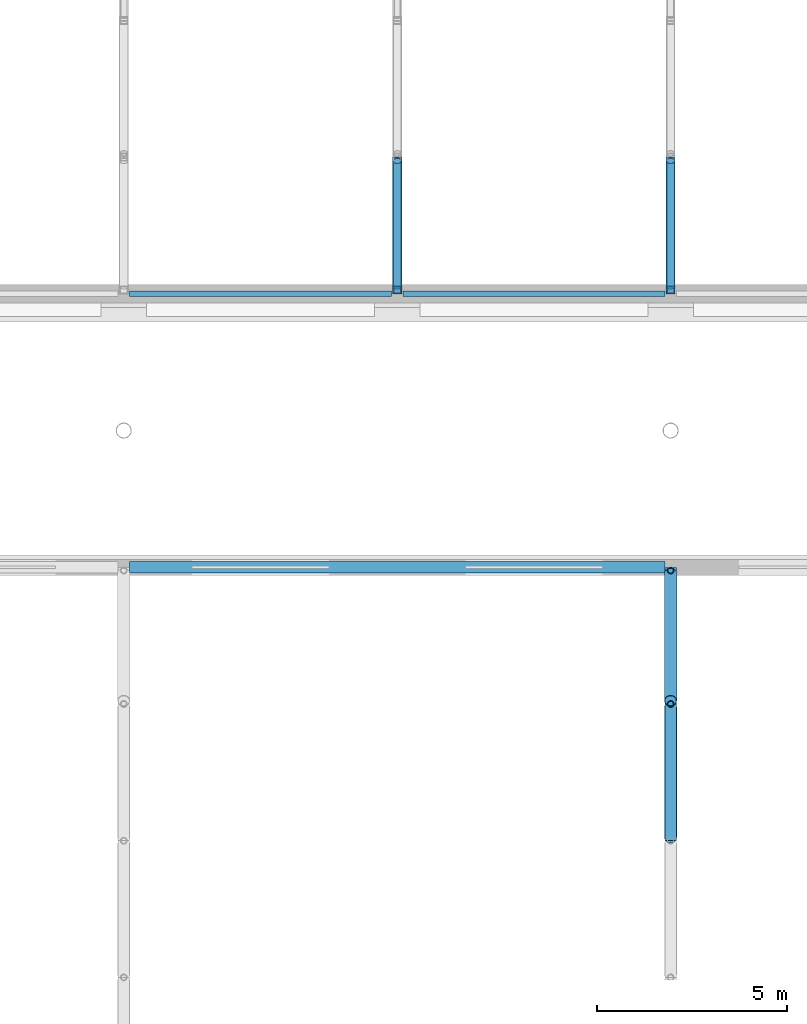
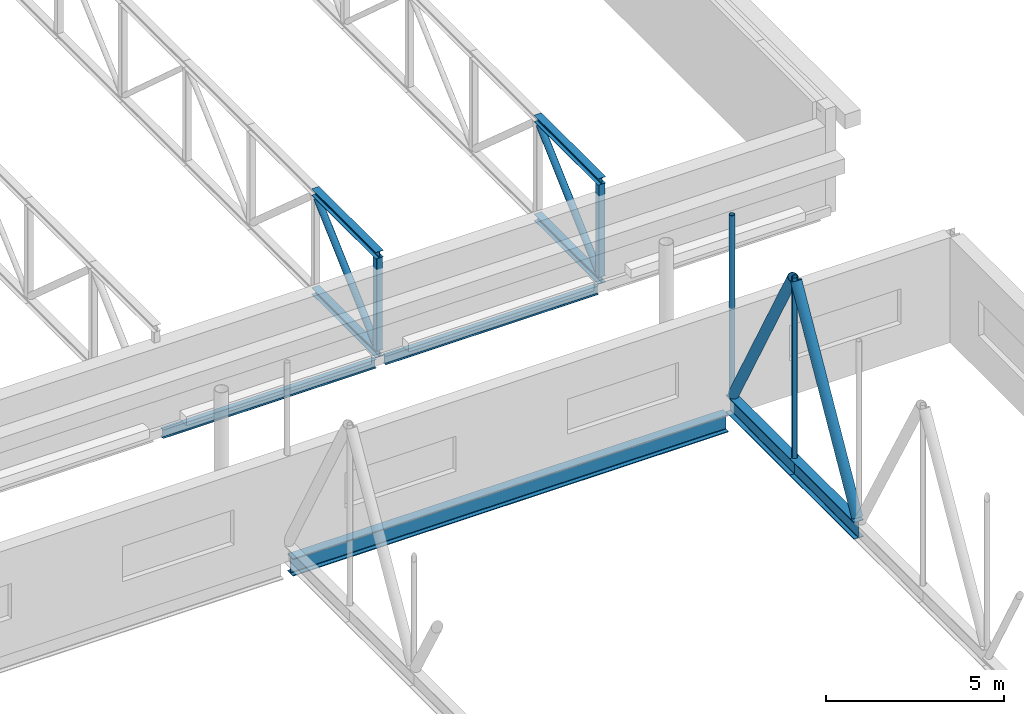
# One storey, part 72 of 142: 14 members, 3 beams.
"""IFC4 building model written with IfcOpenShell, lengths in metres."""

from ifc_helpers import new_model, si_unit, direction, frame, origin, origin_2d, place, context, subcontext, project, spatial, hollow_rectangle, hollow_circle, i_section, extrude, material, material_profile, profile_set, type_object, element, save


model = new_model("IFC4")

# Units and contexts
model_context = context("Model", 3, precision=1e-05, world=origin(), true_north=direction((0.0, 1.0)))
body_context = subcontext(model_context, "Body", "Model", "MODEL_VIEW")
ifc_project = project(units=[si_unit("LENGTHUNIT", "METRE"), si_unit("AREAUNIT", "SQUARE_METRE"), si_unit("VOLUMEUNIT", "CUBIC_METRE"), si_unit("PLANEANGLEUNIT", "RADIAN"), si_unit("MASSUNIT", "GRAM", prefix="KILO")], contexts=[model_context])

# Site, building, storey
site_placement = place(None, origin())
site = spatial("IfcSite", under=ifc_project, at=site_placement, CompositionType="ELEMENT")
building_placement = place(site_placement, origin())
building = spatial("IfcBuilding", under=site, at=building_placement, Name="Kupolbacken Congress Centre", CompositionType="ELEMENT")
storey_placement = place(building_placement, frame((0.0, 0.0, 14.39990234375)))
storey = spatial("IfcBuildingStorey", under=building, at=storey_placement, Name="L04", CompositionType="ELEMENT", Elevation=14.39990234375)

# Beams
ifc_material_1 = material(Name="Steel S355", Category="steel")
ifc_material_profile_1 = material_profile(ifc_material_1, i_section(OverallWidth=0.14990234375, OverallDepth=0.300048828125, WebThickness=0.007080078125, FlangeThickness=0.0107421875, FilletRadius=0.014892578125, at=origin_2d()), Name="IPE 300")
ifc_profile_set_1 = profile_set([ifc_material_profile_1], Name="Steel S355")
beam_type_1 = type_object("IfcBeamType", Name="B04 beam IPE 300", PredefinedType="BEAM", material=ifc_profile_set_1)
beam_1_placement = place(storey_placement, frame((180.14990234375, 122.39990234375, -0.14990234375), z_axis=(1.0, 0.0, 0.0), x_axis=(0.0, 1.0, 0.0)))
element("IfcBeam", 1, at=beam_1_placement, inside=storey, type_object=beam_type_1, Name="Edge girder", PredefinedType="BEAM", context=body_context, shape_type="SweptSolid", body=[
    extrude(i_section(OverallWidth=0.14990234375, OverallDepth=0.300048828125, WebThickness=0.007080078125, FlangeThickness=0.0107421875, FilletRadius=0.014892578125, at=origin_2d()), origin(), (0.0, 0.0, 1.0), 6.900146484375),
])
beam_2_placement = place(storey_placement, frame((187.35009765625, 122.39990234375, -0.14990234375), z_axis=(1.0, 0.0, 0.0), x_axis=(0.0, 1.0, 0.0)))
element("IfcBeam", 2, at=beam_2_placement, inside=storey, type_object=beam_type_1, Name="Edge girder", PredefinedType="BEAM", context=body_context, shape_type="SweptSolid", body=[
    extrude(i_section(OverallWidth=0.14990234375, OverallDepth=0.300048828125, WebThickness=0.007080078125, FlangeThickness=0.0107421875, FilletRadius=0.014892578125, at=origin_2d()), origin(), (0.0, 0.0, 1.0), 6.89990234375),
])
ifc_material_2 = material(Name="Steel S355", Category="steel")
ifc_material_profile_2 = material_profile(ifc_material_2, i_section(OverallWidth=0.300048828125, OverallDepth=0.60009765625, WebThickness=0.015380859375, FlangeThickness=0.030029296875, FilletRadius=0.027099609375, at=origin_2d()), Name="HEB 600")
ifc_profile_set_2 = profile_set([ifc_material_profile_2], Name="Steel S355")
beam_type_2 = type_object("IfcBeamType", Name="B15 beam HEB 600", PredefinedType="BEAM", material=ifc_profile_set_2)
beam_3_placement = place(storey_placement, frame((180.14990234375, 115.199951171875, -0.2998046875), z_axis=(1.0, 0.0, 0.0), x_axis=(0.0, 1.0, 0.0)))
element("IfcBeam", 3, at=beam_3_placement, inside=storey, type_object=beam_type_2, Name="Edge girder", PredefinedType="BEAM", context=body_context, shape_type="SweptSolid", body=[
    extrude(i_section(OverallWidth=0.300048828125, OverallDepth=0.60009765625, WebThickness=0.015380859375, FlangeThickness=0.030029296875, FilletRadius=0.027099609375, at=origin_2d()), origin(), (0.0, 0.0, 1.0), 14.10009765625),
])

# Members
ifc_material_3 = material(Name="Steel S355", Category="steel")
ifc_material_profile_3 = material_profile(ifc_material_3, i_section(OverallWidth=0.300048828125, OverallDepth=0.60009765625, WebThickness=0.015380859375, FlangeThickness=0.030029296875, FilletRadius=0.027099609375, at=origin_2d()), Name="HEB 600")
ifc_profile_set_3 = profile_set([ifc_material_profile_3], Name="Steel S355")
member_type_1 = type_object("IfcMemberType", Name="M02 transfer truss chord HEB 600", PredefinedType="CHORD", material=ifc_profile_set_3)
member_1_placement = place(storey_placement, frame((194.39990234375, 108.0, 0.2900390625), z_axis=(0.0, 1.0, 0.0), x_axis=(-1.0, 0.0, 0.0)))
element("IfcMember", 4, at=member_1_placement, inside=storey, type_object=member_type_1, Name="HT/T8/BC19", PredefinedType="CHORD", context=body_context, shape_type="SweptSolid", body=[
    extrude(i_section(OverallWidth=0.300048828125, OverallDepth=0.60009765625, WebThickness=0.015380859375, FlangeThickness=0.030029296875, FilletRadius=0.027099609375, at=origin_2d()), origin(), (0.0, 0.0, 1.0), 3.60009765625),
])
member_2_placement = place(storey_placement, frame((194.39990234375, 111.60009765625, 0.2900390625), z_axis=(0.0, 1.0, 0.0), x_axis=(-1.0, 0.0, 0.0)))
element("IfcMember", 5, at=member_2_placement, inside=storey, type_object=member_type_1, Name="HT/T8/BC20", PredefinedType="CHORD", context=body_context, shape_type="SweptSolid", body=[
    extrude(i_section(OverallWidth=0.300048828125, OverallDepth=0.60009765625, WebThickness=0.015380859375, FlangeThickness=0.030029296875, FilletRadius=0.027099609375, at=origin_2d()), origin(), (0.0, 0.0, 1.0), 3.599853515625),
])
ifc_material_4 = material(Name="Steel S355", Category="steel")
ifc_material_profile_4 = material_profile(ifc_material_4, hollow_circle(Radius=0.161865234375, WallThickness=0.012451171875, at=origin_2d()), Name="CHS 323.9 x 12.5")
ifc_profile_set_4 = profile_set([ifc_material_profile_4], Name="Steel S355")
member_type_2 = type_object("IfcMemberType", Name="M04 transfer truss web CHS 323.9 x 12.5", PredefinedType="BRACE", material=ifc_profile_set_4)
member_3_placement = place(storey_placement, frame((194.39990234375, 108.084228515625, 0.658935546875), z_axis=(0.0, 0.494455978115, 0.869202672399), x_axis=(-1.0, 0.0, 0.0)))
element("IfcMember", 6, at=member_3_placement, inside=storey, type_object=member_type_2, Name="HT/T8/D19", PredefinedType="BRACE", context=body_context, shape_type="SweptSolid", body=[
    extrude(hollow_circle(Radius=0.161865234375, WallThickness=0.012451171875, at=origin_2d()), origin(), (0.0, 0.0, 1.0), 6.940185546875),
])
member_4_placement = place(storey_placement, frame((194.39990234375, 111.68408203125, 6.69287109375), z_axis=(0.0, 0.485036131954, -0.874494111301), x_axis=(-1.0, 0.0, 0.0)))
element("IfcMember", 7, at=member_4_placement, inside=storey, type_object=member_type_2, Name="HT/T8/D20", PredefinedType="BRACE", context=body_context, shape_type="SweptSolid", body=[
    extrude(hollow_circle(Radius=0.161865234375, WallThickness=0.012451171875, at=origin_2d()), origin(), (0.0, 0.0, 1.0), 6.90185546875),
])
ifc_material_5 = material(Name="Steel S355", Category="steel")
ifc_material_profile_5 = material_profile(ifc_material_5, hollow_circle(Radius=0.109619140625, WallThickness=0.010009765625, at=origin_2d()), Name="CHS 219.1 x 10")
ifc_profile_set_5 = profile_set([ifc_material_profile_5], Name="Steel S355")
member_type_3 = type_object("IfcMemberType", Name="M05 transfer truss web CHS 219.1 x 10", PredefinedType="BRACE", material=ifc_profile_set_5)
for number, where, z_axis, x_axis, name in (
    (8, (187.199951171875, 122.60009765625, 0.289306640625), (0.0, 0.738640464451, 0.67409959522), (-1.0, 0.0, 0.0), "BT/B6/D01"),
    (9, (194.39990234375, 122.60009765625, 0.289306640625), (0.0, 0.738640464451, 0.67409959522), (-1.0, 0.0, 0.0), "BT/B7/D01"),
):
    element("IfcMember", number, at=place(storey_placement, frame(where, z_axis=z_axis, x_axis=x_axis)), inside=storey, type_object=member_type_3, Name=name, PredefinedType="BRACE", context=body_context, shape_type="SweptSolid", body=[
        extrude(hollow_circle(Radius=0.109619140625, WallThickness=0.010009765625, at=origin_2d()), origin(), (0.0, 0.0, 1.0), 4.46728515625),
    ])
ifc_material_6 = material(Name="Steel S355", Category="steel")
ifc_material_profile_6 = material_profile(ifc_material_6, i_section(OverallWidth=0.239990234375, OverallDepth=0.22998046875, WebThickness=0.007568359375, FlangeThickness=0.011962890625, FilletRadius=0.02099609375, at=origin_2d()), Name="HEA 240")
ifc_profile_set_6 = profile_set([ifc_material_profile_6], Name="Steel S355")
member_type_4 = type_object("IfcMemberType", Name="M07 transfer truss chord HEA 240", PredefinedType="CHORD", material=ifc_profile_set_6)
for number, where, z_axis, x_axis, name in (
    (10, (187.199951171875, 122.39990234375, 0.10498046875), (0.0, 1.0, 0.0), (-1.0, 0.0, 0.0), "BT/B6/BC01"),
    (11, (187.199951171875, 122.39990234375, 3.485107421875), (0.0, 1.0, 0.0), (-1.0, 0.0, 0.0), "BT/B6/TC01"),
    (12, (194.39990234375, 122.39990234375, 0.10498046875), (0.0, 1.0, 0.0), (-1.0, 0.0, 0.0), "BT/B7/BC01"),
    (13, (194.39990234375, 122.39990234375, 3.485107421875), (0.0, 1.0, 0.0), (-1.0, 0.0, 0.0), "BT/B7/TC01"),
):
    element("IfcMember", number, at=place(storey_placement, frame(where, z_axis=z_axis, x_axis=x_axis)), inside=storey, type_object=member_type_4, Name=name, PredefinedType="CHORD", context=body_context, shape_type="SweptSolid", body=[
        extrude(i_section(OverallWidth=0.239990234375, OverallDepth=0.22998046875, WebThickness=0.007568359375, FlangeThickness=0.011962890625, FilletRadius=0.02099609375, at=origin_2d()), origin(), (0.0, 0.0, 1.0), 3.60009765625),
    ])
ifc_material_7 = material(Name="Steel S355", Category="steel")
ifc_material_profile_7 = material_profile(ifc_material_7, hollow_rectangle(XDim=0.199951171875, YDim=0.199951171875, WallThickness=0.010009765625, InnerFilletRadius=0.010009765625, OuterFilletRadius=0.014892578125, at=origin_2d()), Name="SHS 200 x 200 x 10")
ifc_profile_set_7 = profile_set([ifc_material_profile_7], Name="Steel S355")
member_type_5 = type_object("IfcMemberType", Name="M10 transfer truss post SHS 200 x 200 x 10", PredefinedType="STRUT", material=ifc_profile_set_7)
for number, where, z_axis, x_axis, name in (
    (14, (187.199951171875, 122.5, 0.210205078125), (0.0, 0.0, 1.0), (0.0, 1.0, 0.0), "BT/B6/P00"),
    (15, (194.39990234375, 122.5, 0.210205078125), (0.0, 0.0, 1.0), (0.0, 1.0, 0.0), "BT/B7/P00"),
):
    element("IfcMember", number, at=place(storey_placement, frame(where, z_axis=z_axis, x_axis=x_axis)), inside=storey, type_object=member_type_5, Name=name, PredefinedType="STRUT", context=body_context, shape_type="SweptSolid", body=[
        extrude(hollow_rectangle(XDim=0.199951171875, YDim=0.199951171875, WallThickness=0.010009765625, InnerFilletRadius=0.010009765625, OuterFilletRadius=0.014892578125, at=origin_2d()), origin(), (0.0, 0.0, 1.0), 3.169921875),
    ])
ifc_material_8 = material(Name="Steel S355", Category="steel")
ifc_material_profile_8 = material_profile(ifc_material_8, hollow_circle(Radius=0.084228515625, WallThickness=0.008056640625, at=origin_2d()), Name="CHS 168.3 x 8")
ifc_profile_set_8 = profile_set([ifc_material_profile_8], Name="Steel S355")
member_type_6 = type_object("IfcMemberType", Name="M20 transfer truss post CHS 168.3 x 8", PredefinedType="STRUT", material=ifc_profile_set_8)
for number, where, z_axis, x_axis, name in (
    (16, (194.39990234375, 111.60009765625, 0.580078125), (0.0, 0.0, 1.0), (0.0, 1.0, 0.0), "HT/T8/P19"),
    (17, (194.39990234375, 115.115966796875, 0.580078125), (0.0, 0.0, 1.0), (0.0, 1.0, 0.0), "HT/T8/P20"),
):
    element("IfcMember", number, at=place(storey_placement, frame(where, z_axis=z_axis, x_axis=x_axis)), inside=storey, type_object=member_type_6, Name=name, PredefinedType="STRUT", context=body_context, shape_type="SweptSolid", body=[
        extrude(hollow_circle(Radius=0.084228515625, WallThickness=0.008056640625, at=origin_2d()), origin(), (0.0, 0.0, 1.0), 6.18994140625),
    ])

save(model, "model.ifc")
